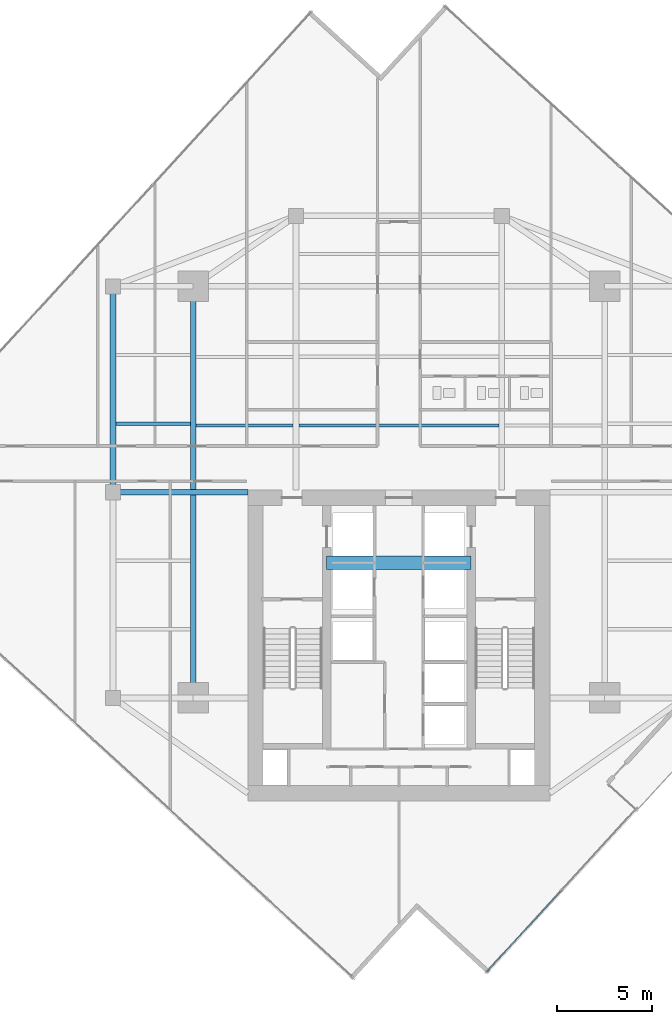
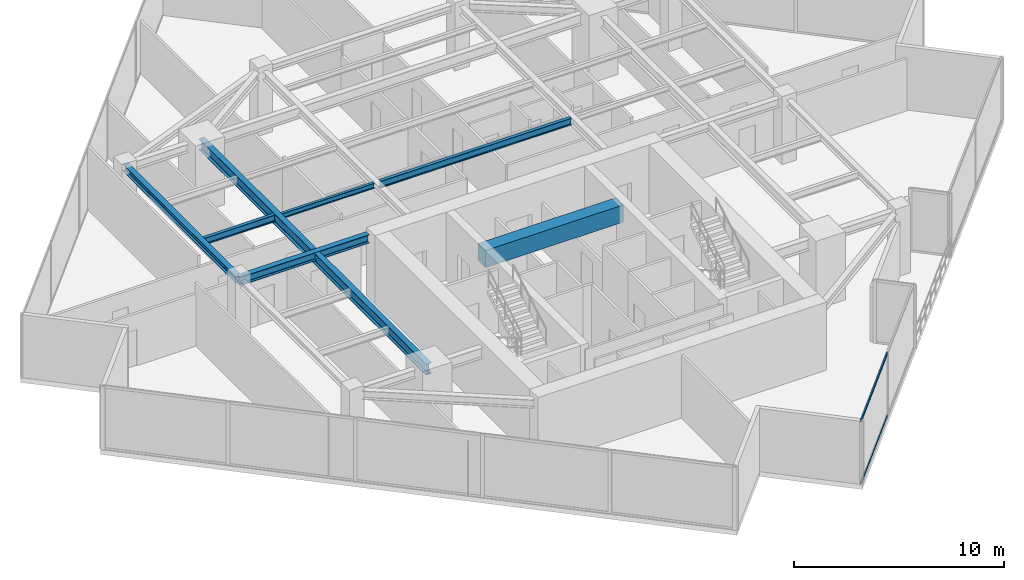
# One storey, part 9 of 26: 7 beams, 2 members, 1 element without a shape of its own.
"""IFC4 building model written with IfcOpenShell, lengths in metres."""

from ifc_helpers import new_model, si_unit, direction, frame, origin, origin_2d, place, context, subcontext, project, spatial, rectangle, hollow_rectangle, i_section, extrude, source, transform, mapped, material, material_profile, profile_set, type_object, type_shapes, element, aggregate, save


model = new_model("IFC4")

# Units and contexts
model_context = context("Model", 3, precision=1e-05, world=origin(), true_north=direction((0.0, 1.0)))
body_context = subcontext(model_context, "Body", "Model", "MODEL_VIEW")
ifc_project = project(units=[si_unit("LENGTHUNIT", "METRE"), si_unit("AREAUNIT", "SQUARE_METRE"), si_unit("VOLUMEUNIT", "CUBIC_METRE"), si_unit("PLANEANGLEUNIT", "RADIAN"), si_unit("MASSUNIT", "GRAM", prefix="KILO")], contexts=[model_context])

# Site, building, storey
site_placement = place(None, origin())
site = spatial("IfcSite", under=ifc_project, at=site_placement, CompositionType="ELEMENT")
building_placement = place(site_placement, origin())
building = spatial("IfcBuilding", under=site, at=building_placement, Name="Krantzveldt Concourse Tower", CompositionType="ELEMENT")
storey_placement = place(building_placement, frame((0.0, 0.0, 223.10009765625)))
storey = spatial("IfcBuildingStorey", under=building, at=storey_placement, Name="L54", CompositionType="ELEMENT", Elevation=223.10009765625)

# Beams
ifc_material_1 = material(Name="Steel S355JR", Category="steel")
ifc_material_profile_1 = material_profile(ifc_material_1, i_section(OverallWidth=0.300048828125, OverallDepth=0.639892578125, WebThickness=0.013427734375, FlangeThickness=0.02587890625, FilletRadius=0.027099609375, at=origin_2d()), Name="Steel S355JR", Category="steel")
ifc_profile_set_1 = profile_set([ifc_material_profile_1], Name="Steel S355JR - HEA 650")
beam_type_1 = type_object("IfcBeamType", Name="BM-B-HEA650", PredefinedType="BEAM", material=ifc_profile_set_1)
shared_shape_1 = source(origin(), body_context, "Body", "SweptSolid", [
    extrude(i_section(OverallWidth=0.300048828125, OverallDepth=0.639892578125, WebThickness=0.013427734375, FlangeThickness=0.02587890625, FilletRadius=0.027099609375, at=origin_2d()), origin(), (0.0, 0.0, 1.0), 21.60009765625),
])
type_shapes(beam_type_1, [shared_shape_1])
beam_1_placement = place(storey_placement, frame((25.199951171875, 15.89990234375, 3.349853515625), z_axis=(0.0, 1.0, 0.0), x_axis=(-1.0, 0.0, 0.0)))
element("IfcBeam", 1, at=beam_1_placement, inside=storey, type_object=beam_type_1, Name="L54 Tower Girder BG-MW", PredefinedType="BEAM", context=body_context, shape_type="MappedRepresentation", body=[
    mapped(shared_shape_1, transform((0.0, 0.0, 0.0), x_axis=(1.0, 0.0, 0.0), y_axis=(0.0, 1.0, 0.0), z_axis=(0.0, 0.0, 1.0), scale=1.0)),
])
ifc_material_profile_2 = material_profile(ifc_material_1, i_section(OverallWidth=0.179931640625, OverallDepth=0.39990234375, WebThickness=0.008544921875, FlangeThickness=0.013427734375, FilletRadius=0.02099609375, at=origin_2d()), Name="Steel S355JR", Category="steel")
ifc_profile_set_2 = profile_set([ifc_material_profile_2], Name="Steel S355JR - IPE 400")
beam_type_2 = type_object("IfcBeamType", Name="BM-J-IPE400", PredefinedType="JOIST", material=ifc_profile_set_2)
shared_shape_2 = source(origin(), body_context, "Body", "SweptSolid", [
    extrude(i_section(OverallWidth=0.179931640625, OverallDepth=0.39990234375, WebThickness=0.008544921875, FlangeThickness=0.013427734375, FilletRadius=0.02099609375, at=origin_2d()), origin(), (0.0, 0.0, 1.0), 10.5),
])
beam_2_placement = place(storey_placement, frame((30.75, 30.199951171875, 3.469970703125), z_axis=(1.0, 0.0, 0.0), x_axis=(0.0, 1.0, 0.0)))
element("IfcBeam", 2, at=beam_2_placement, inside=storey, type_object=beam_type_2, Name="L54 Secondary Floor Joist JN-C1", PredefinedType="JOIST", context=body_context, shape_type="MappedRepresentation", body=[
    mapped(shared_shape_2, transform((0.0, 0.0, 0.0), x_axis=(1.0, 0.0, 0.0), y_axis=(0.0, 1.0, 0.0), z_axis=(0.0, 0.0, 1.0), scale=1.0)),
])
ifc_material_2 = material(Name="Concrete C50/60", Category="concrete")
ifc_material_profile_3 = material_profile(ifc_material_2, rectangle(XDim=0.699951171875, YDim=1.0, at=origin_2d()), Name="Concrete C50/60", Category="concrete")
ifc_profile_set_3 = profile_set([ifc_material_profile_3], Name="Concrete C50/60 - RC-CB 700x1000")
beam_type_3 = type_object("IfcBeamType", Name="BM-CB-1000", PredefinedType="LINTEL", material=ifc_profile_set_3)
shared_shape_3 = source(origin(), body_context, "Body", "SweptSolid", [
    extrude(rectangle(XDim=0.699951171875, YDim=1.0, at=origin_2d()), origin(), (0.0, 0.0, 1.0), 7.580078125),
])
type_shapes(beam_type_3, [shared_shape_3])
beam_3_placement = place(storey_placement, frame((32.2099609375, 23.0, 3.169921875), z_axis=(1.0, 0.0, 0.0), x_axis=(0.0, 1.0, 0.0)))
element("IfcBeam", 3, at=beam_3_placement, inside=storey, type_object=beam_type_3, Name="CB-L54-01", PredefinedType="LINTEL", context=body_context, shape_type="MappedRepresentation", body=[
    mapped(shared_shape_3, transform((0.0, 0.0, 0.0), x_axis=(1.0, 0.0, 0.0), y_axis=(0.0, 1.0, 0.0), z_axis=(0.0, 0.0, 1.0), scale=1.0)),
])
ifc_material_profile_4 = material_profile(ifc_material_1, i_section(OverallWidth=0.300048828125, OverallDepth=0.389892578125, WebThickness=0.010986328125, FlangeThickness=0.01904296875, FilletRadius=0.027099609375, at=origin_2d()), Name="Steel S355JR", Category="steel")
ifc_profile_set_4 = profile_set([ifc_material_profile_4], Name="Steel S355JR - HEA 400")
beam_type_4 = type_object("IfcBeamType", Name="BM-SP-HEA400", PredefinedType="SPANDREL", material=ifc_profile_set_4)
shared_shape_4 = source(origin(), body_context, "Body", "SweptSolid", [
    extrude(i_section(OverallWidth=0.300048828125, OverallDepth=0.389892578125, WebThickness=0.010986328125, FlangeThickness=0.01904296875, FilletRadius=0.027099609375, at=origin_2d()), origin(), (0.0, 0.0, 1.0), 10.800048828125),
])
type_shapes(beam_type_4, [shared_shape_4])
beam_4_placement = place(storey_placement, frame((21.0, 26.699951171875, 3.474853515625), z_axis=(0.0, 1.0, 0.0), x_axis=(-1.0, 0.0, 0.0)))
element("IfcBeam", 4, at=beam_4_placement, inside=storey, type_object=beam_type_4, Name="L54 Tower Girder SP-R02", PredefinedType="SPANDREL", context=body_context, shape_type="MappedRepresentation", body=[
    mapped(shared_shape_4, transform((0.0, 0.0, 0.0), x_axis=(1.0, 0.0, 0.0), y_axis=(0.0, 1.0, 0.0), z_axis=(0.0, 0.0, 1.0), scale=1.0)),
])
ifc_material_profile_5 = material_profile(ifc_material_1, i_section(OverallWidth=0.300048828125, OverallDepth=0.489990234375, WebThickness=0.011962890625, FlangeThickness=0.02294921875, FilletRadius=0.027099609375, at=origin_2d()), Name="Steel S355JR", Category="steel")
ifc_profile_set_5 = profile_set([ifc_material_profile_5], Name="Steel S355JR - HEA 500")
beam_type_5 = type_object("IfcBeamType", Name="BM-B-HEA500", PredefinedType="BEAM", material=ifc_profile_set_5)
shared_shape_5 = source(origin(), body_context, "Body", "SweptSolid", [
    extrude(i_section(OverallWidth=0.300048828125, OverallDepth=0.489990234375, WebThickness=0.011962890625, FlangeThickness=0.02294921875, FilletRadius=0.027099609375, at=origin_2d()), origin(), (0.0, 0.0, 1.0), 7.080078125),
])
type_shapes(beam_type_5, [shared_shape_5])
beam_5_placement = place(storey_placement, frame((21.0, 26.699951171875, 3.4248046875), z_axis=(1.0, 0.0, 0.0), x_axis=(0.0, 1.0, 0.0)))
element("IfcBeam", 5, at=beam_5_placement, inside=storey, type_object=beam_type_5, Name="L54 Tower Girder BG-CW2", PredefinedType="BEAM", context=body_context, shape_type="MappedRepresentation", body=[
    mapped(shared_shape_5, transform((0.0, 0.0, 0.0), x_axis=(1.0, 0.0, 0.0), y_axis=(0.0, 1.0, 0.0), z_axis=(0.0, 0.0, 1.0), scale=1.0)),
])
ifc_material_profile_6 = material_profile(ifc_material_1, i_section(OverallWidth=0.14990234375, OverallDepth=0.300048828125, WebThickness=0.007080078125, FlangeThickness=0.0107421875, FilletRadius=0.014892578125, at=origin_2d()), Name="Steel S355JR", Category="steel")
ifc_profile_set_6 = profile_set([ifc_material_profile_6], Name="Steel S355JR - IPE 300")
beam_type_6 = type_object("IfcBeamType", Name="BM-J-IPE300", PredefinedType="JOIST", material=ifc_profile_set_6)
shared_shape_6 = source(origin(), body_context, "Body", "SweptSolid", [
    extrude(i_section(OverallWidth=0.14990234375, OverallDepth=0.300048828125, WebThickness=0.007080078125, FlangeThickness=0.0107421875, FilletRadius=0.014892578125, at=origin_2d()), origin(), (0.0, 0.0, 1.0), 5.099853515625),
])
type_shapes(beam_type_6, [shared_shape_6])
beam_6_placement = place(storey_placement, frame((25.35009765625, 30.199951171875, 3.52001953125), z_axis=(1.0, 0.0, 0.0), x_axis=(0.0, 1.0, 0.0)))
element("IfcBeam", 6, at=beam_6_placement, inside=storey, type_object=beam_type_6, Name="L54 Secondary Floor Joist JN-W1", PredefinedType="JOIST", context=body_context, shape_type="MappedRepresentation", body=[
    mapped(shared_shape_6, transform((0.0, 0.0, 0.0), x_axis=(1.0, 0.0, 0.0), y_axis=(0.0, 1.0, 0.0), z_axis=(0.0, 0.0, 1.0), scale=1.0)),
])
shared_shape_7 = source(origin(), body_context, "Body", "SweptSolid", [
    extrude(i_section(OverallWidth=0.179931640625, OverallDepth=0.39990234375, WebThickness=0.008544921875, FlangeThickness=0.013427734375, FilletRadius=0.02099609375, at=origin_2d()), origin(), (0.0, 0.0, 1.0), 3.900146484375),
])
type_shapes(beam_type_2, [shared_shape_2, shared_shape_7])
beam_7_placement = place(storey_placement, frame((21.14990234375, 30.300048828125, 3.469970703125), z_axis=(1.0, 0.0, 0.0), x_axis=(0.0, 1.0, 0.0)))
element("IfcBeam", 7, at=beam_7_placement, inside=storey, type_object=beam_type_2, Name="L54 Secondary Floor Joist JW-3", PredefinedType="JOIST", context=body_context, shape_type="MappedRepresentation", body=[
    mapped(shared_shape_7, transform((0.0, 0.0, 0.0), x_axis=(1.0, 0.0, 0.0), y_axis=(0.0, 1.0, 0.0), z_axis=(0.0, 0.0, 1.0), scale=1.0)),
])

# Curtain wall, members
ifc_material_3 = material(Name="Anodised aluminium 6063-T6", Category="aluminium")
curtain_wall_type = type_object("IfcCurtainWallType", Name="CW3", PredefinedType="USERDEFINED", material=ifc_material_3)
curtain_wall_placement = place(storey_placement, origin())
curtain_wall = element("IfcCurtainWall", 8, at=curtain_wall_placement, inside=storey, type_object=curtain_wall_type, Name="CW-L54-F07", ObjectType="UNITISED CURTAIN WALL", PredefinedType="USERDEFINED")
ifc_material_profile_7 = material_profile(ifc_material_3, hollow_rectangle(XDim=0.070068359375, YDim=0.139892578125, WallThickness=0.0048828125, at=origin_2d()), Name="Anodised aluminium 6063-T6", Category="aluminium")
ifc_profile_set_7 = profile_set([ifc_material_profile_7], Name="Anodised aluminium 6063-T6 - ALU-TRAN 140x70x5")
member_type = type_object("IfcMemberType", Name="CW-TRN-150", PredefinedType="USERDEFINED", material=ifc_profile_set_7)
shared_shape_8 = source(origin(), body_context, "Body", "SweptSolid", [
    extrude(hollow_rectangle(XDim=0.070068359375, YDim=0.139892578125, WallThickness=0.0048828125, at=origin_2d()), origin(), (0.0, 0.0, 1.0), 5.7451171875),
])
type_shapes(member_type, [shared_shape_8])
member_1_placement = place(storey_placement, frame((40.62353515625, 1.534912109375, 0.034912109375), z_axis=(0.675559117581, 0.737305824372, 0.0), x_axis=(-0.737305824372, 0.675559117581, 0.0)))
member_1 = element("IfcMember", 9, at=member_1_placement, type_object=member_type, Name="CW-Z34 transom 1.1", ObjectType="TRANSOM", PredefinedType="USERDEFINED", context=body_context, shape_type="MappedRepresentation", body=[
    mapped(shared_shape_8, transform((0.0, 0.0, 0.0), x_axis=(1.0, 0.0, 0.0), y_axis=(0.0, 1.0, 0.0), z_axis=(0.0, 0.0, 1.0), scale=1.0)),
])
member_2_placement = place(storey_placement, frame((40.62353515625, 1.534912109375, 3.635009765625), z_axis=(0.675559117581, 0.737305824372, 0.0), x_axis=(-0.737305824372, 0.675559117581, 0.0)))
member_2 = element("IfcMember", 10, at=member_2_placement, type_object=member_type, Name="CW-Z34 transom 1.2", ObjectType="TRANSOM", PredefinedType="USERDEFINED", context=body_context, shape_type="MappedRepresentation", body=[
    mapped(shared_shape_8, transform((0.0, 0.0, 0.0), x_axis=(1.0, 0.0, 0.0), y_axis=(0.0, 1.0, 0.0), z_axis=(0.0, 0.0, 1.0), scale=1.0)),
])
aggregate(curtain_wall, [member_1, member_2])

save(model, "model.ifc")
